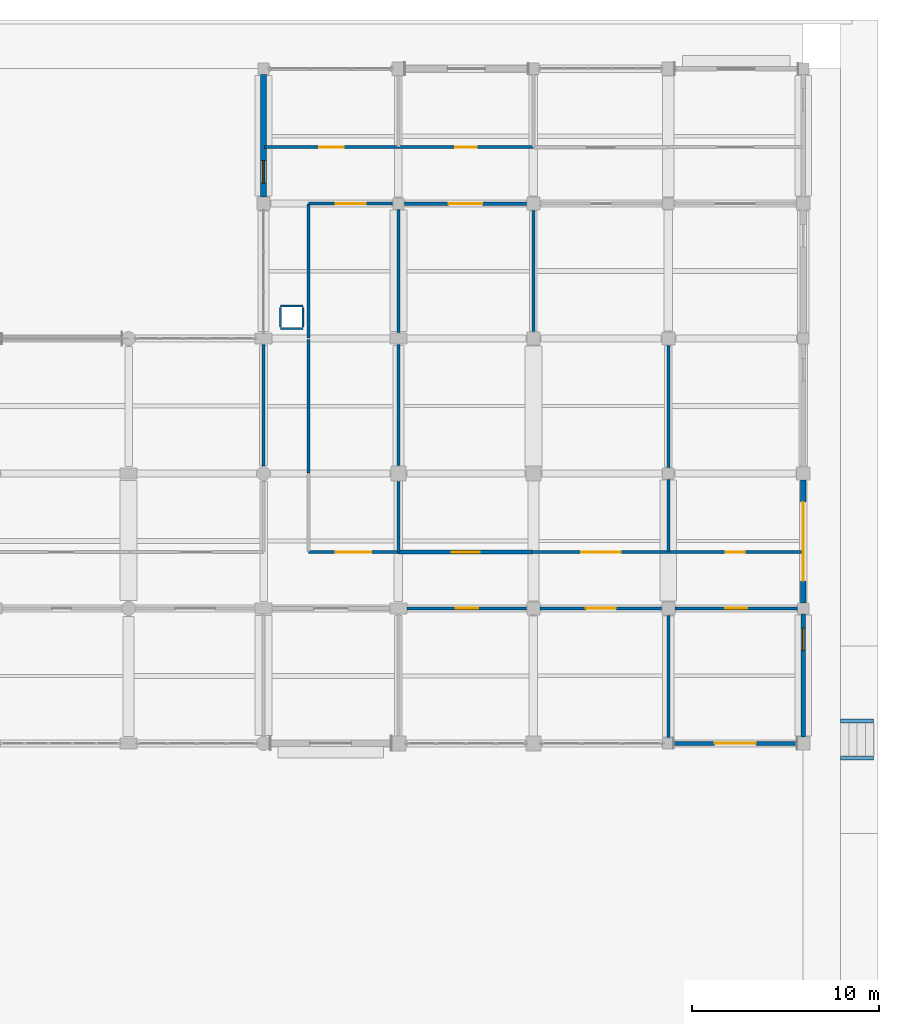
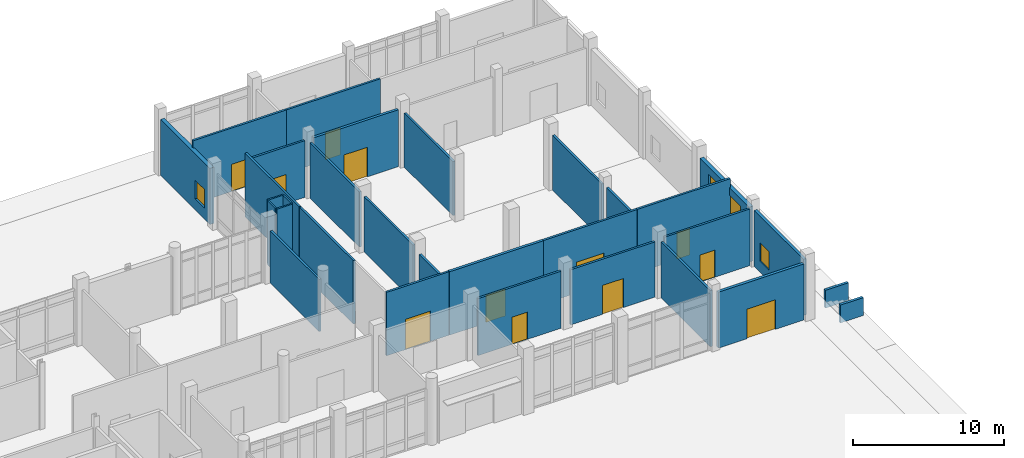
# One storey, part 201 of 229: 31 walls, 13 doors, 2 windows, 15 openings.
"""IFC4 building model written with IfcOpenShell, lengths in metres."""

import ifcopenshell
import ifcopenshell.guid

model = None  # the IFC model being written
_history = None  # IfcOwnerHistory: only IFC2X3 demands one
_inside = {}  # id of a spatial element -> (the spatial element, [elements in it])
_under = {}  # id of a project, library or spatial element -> (it, [spatial elements below it])
_declared = {}  # id of a project -> (the project, [libraries it declares])
_typed = {}  # id of a type object -> (the type object, [elements of that type])
_made_of = {}  # id of a material, layer set ... -> (it, [elements and type objects made of it])


def new_model(schema):
    """Start an empty IFC model of exactly this schema.

    Asked for "IFC4X3", IfcOpenShell would pick the latest addendum, in which some entities
    have other attributes; the version numbers below select the first issue.
    IFC2X3 requires an IfcOwnerHistory on every rooted entity: one is made here for all.
    """
    global model, _history
    if schema == "IFC4X3":
        model = ifcopenshell.file(schema_version=(4, 3, 0, 0))
    else:
        model = ifcopenshell.file(schema=schema)
    _inside.clear()
    _under.clear()
    _declared.clear()
    _typed.clear()
    _made_of.clear()
    _history = None
    if model.schema == "IFC2X3":
        org = make("IfcOrganization", Name="unknown")
        user = make(
            "IfcPersonAndOrganization",
            ThePerson=make("IfcPerson", FamilyName="unknown"),
            TheOrganization=org,
        )
        app = make(
            "IfcApplication",
            ApplicationDeveloper=org,
            Version="unknown",
            ApplicationFullName="unknown",
            ApplicationIdentifier="unknown",
        )
        _history = make(
            "IfcOwnerHistory",
            OwningUser=user,
            OwningApplication=app,
            ChangeAction="ADDED",
            CreationDate=0,
        )
    return model


def make(cls, **values):
    """One entity of the class cls with the attributes given. An attribute that is None is left unset."""
    return model.create_entity(
        cls, **{name: value for name, value in values.items() if value is not None}
    )


def rooted(cls, **values):
    """An entity with a GlobalId (a new one), such as an element, a storey or a relation."""
    return make(cls, GlobalId=ifcopenshell.guid.new(), OwnerHistory=_history, **values)


def si_unit(unit_type, name, prefix=None):
    """IfcSIUnit, for example si_unit("LENGTHUNIT", "METRE", prefix="MILLI")."""
    return make("IfcSIUnit", UnitType=unit_type, Prefix=prefix, Name=name)


def assignment(units):
    """IfcUnitAssignment: the units of a project."""
    return None if units is None else make("IfcUnitAssignment", Units=units)


def point(xyz):
    """IfcCartesianPoint."""
    return None if xyz is None else make("IfcCartesianPoint", Coordinates=xyz)


def direction(xyz):
    """IfcDirection."""
    return None if xyz is None else make("IfcDirection", DirectionRatios=xyz)


def frame(location, z_axis=None, x_axis=None):
    """IfcAxis2Placement3D, a coordinate frame: its origin and axes. An axis left out is left unset."""
    return make(
        "IfcAxis2Placement3D",
        Location=point(location),
        Axis=direction(z_axis),
        RefDirection=direction(x_axis),
    )


def frame_2d(location, x_axis=None):
    """IfcAxis2Placement2D, a coordinate frame in the plane: its origin and x axis."""
    return make(
        "IfcAxis2Placement2D", Location=point(location), RefDirection=direction(x_axis)
    )


def origin():
    """The frame at (0, 0, 0) with its axes left unset."""
    return frame((0.0, 0.0, 0.0))


def place(relative_to, where):
    """IfcLocalPlacement: puts the frame where relative to a parent placement (None: the world)."""
    return make(
        "IfcLocalPlacement", PlacementRelTo=relative_to, RelativePlacement=where
    )


def context(
    kind, dimensions, precision=None, world=None, true_north=None, identifier=None
):
    """IfcGeometricRepresentationContext, for example the 3D "Model" context."""
    return make(
        "IfcGeometricRepresentationContext",
        ContextIdentifier=identifier,
        ContextType=kind,
        CoordinateSpaceDimension=dimensions,
        Precision=precision,
        WorldCoordinateSystem=world,
        TrueNorth=true_north,
    )


def subcontext(parent, identifier, kind, view, scale=None):
    """IfcGeometricRepresentationSubContext, for example "Body" below "Model"."""
    return make(
        "IfcGeometricRepresentationSubContext",
        ContextIdentifier=identifier,
        ContextType=kind,
        ParentContext=parent,
        TargetScale=scale,
        TargetView=view,
    )


def project(units=None, contexts=None):
    """IfcProject with its units and contexts."""
    return rooted(
        "IfcProject",
        Name="project",
        RepresentationContexts=contexts,
        UnitsInContext=assignment(units),
    )


def spatial(cls, under=None, at=None, **own):
    """A site, building, storey or space (cls), placed at a placement, below another one or the project."""
    s = rooted(cls, ObjectPlacement=at, **own)
    if under is not None:
        _under.setdefault(under.id(), (under, []))[1].append(s)
    return s


def profile(cls, at=None, kind="AREA", **sizes):
    """A parametric profile (cls). Its sizes go by their IFC names, for example OverallWidth=200.0."""
    return make(cls, ProfileType=kind, Position=at, **sizes)


def rectangle(**sizes):
    """IfcRectangleProfileDef."""
    return profile("IfcRectangleProfileDef", **sizes)


def extrude(swept, where, along, depth):
    """IfcExtrudedAreaSolid: the profile swept, set in the frame where, extruded along a direction by depth."""
    return make(
        "IfcExtrudedAreaSolid",
        SweptArea=swept,
        Position=where,
        ExtrudedDirection=direction(along),
        Depth=depth,
    )


def shape(context_of_items, identifier, shape_type, items):
    """IfcShapeRepresentation: the items that make up one representation, for example the "Body"."""
    return make(
        "IfcShapeRepresentation",
        ContextOfItems=context_of_items,
        RepresentationIdentifier=identifier,
        RepresentationType=shape_type,
        Items=items,
    )


def material(Name=None, Category=None):
    """IfcMaterial."""
    return make("IfcMaterial", Name=Name, Category=Category)


def layer(
    of_material, thickness, ventilated=None, Name=None, Category=None, Priority=None
):
    """IfcMaterialLayer: one layer of a wall or slab, of a material (None: an air gap)."""
    return make(
        "IfcMaterialLayer",
        Material=of_material,
        LayerThickness=thickness,
        IsVentilated=ventilated,
        Name=Name,
        Category=Category,
        Priority=Priority,
    )


def layer_set(layers, Name=None):
    """IfcMaterialLayerSet."""
    return make("IfcMaterialLayerSet", MaterialLayers=layers, LayerSetName=Name)


def made_of(thing, what):
    """Note that an element or type object is made of a material, layer set ...; save() writes the relation."""
    if what is not None:
        _made_of.setdefault(what.id(), (what, []))[1].append(thing)
    return thing


def type_object(cls, material=None, **own):
    """A type object (cls), such as IfcWallType, which elements share."""
    return made_of(rooted(cls, **own), material)


def element(
    cls,
    number,
    at=None,
    inside=None,
    cuts=None,
    type_object=None,
    material=None,
    context=None,
    identifier="Body",
    shape_type=None,
    held_by="IfcProductDefinitionShape",
    body=None,
    shapes=None,
    **own,
):
    """One element of the class cls, such as IfcWall. Its Tag is "e" and its number.

    at: its placement. inside: the storey or other place that contains it. cuts: it is an
    opening in that element (IfcRelVoidsElement). A single representation is given by context,
    identifier, shape_type and body (its items); several are given by shapes. held_by: the class
    of the entity that holds the representations. save() writes the other relations.
    """
    e = rooted(cls, Tag="e%d" % number, ObjectPlacement=at, **own)
    if body is not None:
        shapes = [shape(context, identifier, shape_type, body)]
    if shapes is not None:
        e.Representation = make(held_by, Representations=shapes)
    if inside is not None:
        _inside.setdefault(inside.id(), (inside, []))[1].append(e)
    if cuts is not None:
        rooted(
            "IfcRelVoidsElement", RelatingBuildingElement=cuts, RelatedOpeningElement=e
        )
    if type_object is not None:
        _typed.setdefault(type_object.id(), (type_object, []))[1].append(e)
    return made_of(e, material)


def fill(opening, filler):
    """IfcRelFillsElement: the door or window that sits in an opening."""
    return rooted(
        "IfcRelFillsElement",
        RelatingOpeningElement=opening,
        RelatedBuildingElement=filler,
    )


def aggregate(whole, parts):
    """IfcRelAggregates: a whole, such as a stair, and the parts it consists of."""
    return rooted("IfcRelAggregates", RelatingObject=whole, RelatedObjects=parts)


def save(model, path):
    """Write the relations noted so far, then the file.

    IfcRelAggregates (storeys below a building ...), IfcRelContainedInSpatialStructure (elements
    in a storey), IfcRelDefinesByType, IfcRelAssociatesMaterial and IfcRelDeclares: one each for
    every whole, place, type object, material and project.
    """
    for whole, parts in _under.values():
        aggregate(whole, parts)
    for where, things in _inside.values():
        rooted(
            "IfcRelContainedInSpatialStructure",
            RelatedElements=things,
            RelatingStructure=where,
        )
    for kind, things in _typed.values():
        rooted("IfcRelDefinesByType", RelatedObjects=things, RelatingType=kind)
    for what, things in _made_of.values():
        rooted("IfcRelAssociatesMaterial", RelatedObjects=things, RelatingMaterial=what)
    for by, libraries in _declared.values():
        rooted("IfcRelDeclares", RelatingContext=by, RelatedDefinitions=libraries)
    model.write(path)


model = new_model("IFC4")

# Units and contexts
model_context = context("Model", 3, precision=1e-05, world=origin(), true_north=direction((0.0, 1.0)))
body_context = subcontext(model_context, "Body", "Model", "MODEL_VIEW")
ifc_project = project(units=[si_unit("LENGTHUNIT", "METRE"), si_unit("AREAUNIT", "SQUARE_METRE"), si_unit("VOLUMEUNIT", "CUBIC_METRE"), si_unit("PLANEANGLEUNIT", "RADIAN"), si_unit("MASSUNIT", "GRAM", prefix="KILO")], contexts=[model_context])

# Site, building, storey
site_placement = place(None, origin())
site = spatial("IfcSite", under=ifc_project, at=site_placement, CompositionType="ELEMENT")
building_placement = place(site_placement, origin())
building = spatial("IfcBuilding", under=site, at=building_placement, Name="Calvrana Isthmian Art Gallery", CompositionType="ELEMENT")
storey_placement = place(building_placement, origin())
storey = spatial("IfcBuildingStorey", under=building, at=storey_placement, Name="L00", CompositionType="ELEMENT", Elevation=0.0)

# Wall, opening, door
ifc_material_1 = material(Name="Precast concrete C40/50", Category="concrete")
ifc_layer_1 = layer(ifc_material_1, 0.219970703125, Name="Precast concrete C40/50")
ifc_layer_set_1 = layer_set([ifc_layer_1], Name="Precast concrete C40/50")
wall_type_1 = type_object("IfcWallType", Name="EW-ACOUST-220", PredefinedType="SOLIDWALL", material=ifc_layer_set_1)
wall_1_placement = place(storey_placement, frame((162.85009765625, 76.800048828125, 0.0), z_axis=(0.0, 0.0, 1.0), x_axis=(-1.0, 0.0, 0.0)))
wall_1 = element("IfcWall", 1, at=wall_1_placement, inside=storey, type_object=wall_type_1, Name="Exterior wall EW-019", PredefinedType="SOLIDWALL", context=body_context, shape_type="SweptSolid", body=[
    extrude(rectangle(XDim=6.550048828125, YDim=0.219970703125, at=frame_2d((3.27490234375, 0.0))), origin(), (0.0, 0.0, 1.0), 4.532958984375),
])
opening_1_placement = place(wall_1_placement, frame((2.175048828125, 0.0, 0.0)))
opening_1 = element("IfcOpeningElement", 2, at=opening_1_placement, cuts=wall_1, Name="Opening D-E12", PredefinedType="OPENING", context=body_context, shape_type="SweptSolid", body=[
    extrude(rectangle(XDim=2.199951171875, YDim=2.39990234375, at=frame_2d((1.10009765625, 1.199951171875))), frame((0.0, 0.1201171875, 0.0), z_axis=(0.0, -1.0, 0.0), x_axis=(1.0, 0.0, 0.0)), (0.0, 0.0, 1.0), 0.240478515625),
])
ifc_material_2 = material(Name="Anodized bronze aluminium 6063-T6", Category="aluminium")
door_type_1 = type_object("IfcDoorType", Name="DR-EXT-MAIN-2200", OperationType="DOUBLE_DOOR_SINGLE_SWING", PredefinedType="DOOR", material=ifc_material_2)
door_1_placement = place(opening_1_placement, origin())
door_1 = element("IfcDoor", 3, at=door_1_placement, inside=storey, type_object=door_type_1, Name="Main entrance pedestrian exit D-E12", OperationType="DOUBLE_DOOR_SINGLE_SWING", OverallHeight=2.39990234375, OverallWidth=2.199951171875, PredefinedType="DOOR", context=body_context, shape_type="SweptSolid", body=[
    extrude(rectangle(XDim=2.199951171875, YDim=2.39990234375, at=frame_2d((1.10009765625, 1.199951171875))), frame((0.0, 0.02490234375, 0.0), z_axis=(0.0, -1.0, 0.0), x_axis=(1.0, 0.0, 0.0)), (0.0, 0.0, 1.0), 0.050048828125),
])
fill(opening_1, door_1)

# Wall, opening, window
wall_2_placement = place(storey_placement, frame((163.199951171875, 83.699951171875, 0.0), z_axis=(0.0, 0.0, 1.0), x_axis=(0.0, -1.0, 0.0)))
wall_2 = element("IfcWall", 4, at=wall_2_placement, inside=storey, type_object=wall_type_1, Name="Exterior wall EW-051", PredefinedType="SOLIDWALL", context=body_context, shape_type="SweptSolid", body=[
    extrude(rectangle(XDim=6.550048828125, YDim=0.219970703125, at=frame_2d((3.27490234375, 0.0))), origin(), (0.0, 0.0, 1.0), 4.5400390625),
])
opening_2_placement = place(wall_2_placement, frame((0.75, 0.0, 0.89990234375)))
opening_2 = element("IfcOpeningElement", 5, at=opening_2_placement, cuts=wall_2, Name="Opening W-020", PredefinedType="OPENING", context=body_context, shape_type="SweptSolid", body=[
    extrude(rectangle(XDim=1.199951171875, YDim=1.5, at=frame_2d((0.60009765625, 0.75))), frame((0.0, 0.1201171875, 0.0), z_axis=(0.0, -1.0, 0.0), x_axis=(1.0, 0.0, 0.0)), (0.0, 0.0, 1.0), 0.240478515625),
])
ifc_material_3 = material(Name="Low-E laminated solar glass", Category="glass")
window_type = type_object("IfcWindowType", Name="WN-G01", PartitioningType="SINGLE_PANEL", PredefinedType="WINDOW", material=ifc_material_3)
window_1_placement = place(opening_2_placement, origin())
window_1 = element("IfcWindow", 6, at=window_1_placement, inside=storey, type_object=window_type, Name="Facade window W-020", OverallHeight=1.5, OverallWidth=1.199951171875, PartitioningType="SINGLE_PANEL", PredefinedType="WINDOW", context=body_context, shape_type="SweptSolid", body=[
    extrude(rectangle(XDim=1.199951171875, YDim=1.5, at=frame_2d((0.60009765625, 0.75))), frame((0.0, 0.030029296875, 0.0), z_axis=(0.0, -1.0, 0.0), x_axis=(1.0, 0.0, 0.0)), (0.0, 0.0, 1.0), 0.06005859375),
])
fill(opening_2, window_1)

ifc_material_4 = material(Name="Pale Isthmian limestone", Category="masonry")
ifc_layer_2 = layer(ifc_material_4, 0.300048828125, Name="Pale Isthmian limestone")
ifc_layer_set_2 = layer_set([ifc_layer_2], Name="Pale Isthmian limestone")
wall_type_2 = type_object("IfcWallType", Name="EW-LIME-300", PredefinedType="SOLIDWALL", material=ifc_layer_set_2)
wall_3_placement = place(storey_placement, frame((134.39990234375, 105.949951171875, 0.0), z_axis=(0.0, 0.0, 1.0), x_axis=(0.0, 1.0, 0.0)))
wall_3 = element("IfcWall", 7, at=wall_3_placement, inside=storey, type_object=wall_type_2, Name="Exterior wall EW-048", PredefinedType="SOLIDWALL", context=body_context, shape_type="SweptSolid", body=[
    extrude(rectangle(XDim=6.550048828125, YDim=0.300048828125, at=frame_2d((3.27490234375, 0.0))), origin(), (0.0, 0.0, 1.0), 4.5400390625),
])
opening_3_placement = place(wall_3_placement, frame((0.75, 0.0, 0.89990234375)))
opening_3 = element("IfcOpeningElement", 8, at=opening_3_placement, cuts=wall_3, Name="Opening W-018", PredefinedType="OPENING", context=body_context, shape_type="SweptSolid", body=[
    extrude(rectangle(XDim=1.199951171875, YDim=1.5, at=frame_2d((0.60009765625, 0.75))), frame((0.0, 0.16015625, 0.0), z_axis=(0.0, -1.0, 0.0), x_axis=(1.0, 0.0, 0.0)), (0.0, 0.0, 1.0), 0.320556640625),
])
window_2_placement = place(opening_3_placement, origin())
window_2 = element("IfcWindow", 9, at=window_2_placement, inside=storey, type_object=window_type, Name="Facade window W-018", OverallHeight=1.5, OverallWidth=1.199951171875, PartitioningType="SINGLE_PANEL", PredefinedType="WINDOW", context=body_context, shape_type="SweptSolid", body=[
    extrude(rectangle(XDim=1.199951171875, YDim=1.5, at=frame_2d((0.60009765625, 0.75))), frame((0.0, 0.030029296875, 0.0), z_axis=(0.0, -1.0, 0.0), x_axis=(1.0, 0.0, 0.0)), (0.0, 0.0, 1.0), 0.06005859375),
])
fill(opening_3, window_2)

# Wall, opening, door
wall_4_placement = place(storey_placement, frame((163.199951171875, 90.85009765625, 0.0), z_axis=(0.0, 0.0, 1.0), x_axis=(0.0, -1.0, 0.0)))
wall_4 = element("IfcWall", 10, at=wall_4_placement, inside=storey, type_object=wall_type_2, Name="Exterior wall EW-052", PredefinedType="SOLIDWALL", context=body_context, shape_type="SweptSolid", body=[
    extrude(rectangle(XDim=6.550048828125, YDim=0.300048828125, at=frame_2d((3.27490234375, 0.0))), origin(), (0.0, 0.0, 1.0), 4.43994140625),
])
opening_4_placement = place(wall_4_placement, frame((1.175048828125, 0.0, 0.0)))
opening_4 = element("IfcOpeningElement", 11, at=opening_4_placement, cuts=wall_4, Name="Opening VG-01", PredefinedType="OPENING", context=body_context, shape_type="SweptSolid", body=[
    extrude(rectangle(XDim=4.199951171875, YDim=3.85009765625, at=frame_2d((2.10009765625, 1.925048828125))), frame((0.0, 0.16015625, 0.0), z_axis=(0.0, -1.0, 0.0), x_axis=(1.0, 0.0, 0.0)), (0.0, 0.0, 1.0), 0.320556640625),
])
ifc_material_5 = material(Name="Steel ASTM A572 Gr 50", Category="steel")
door_type_2 = type_object("IfcDoorType", Name="GT-DOCK-4200", OperationType="ROLLINGUP", PredefinedType="GATE", material=ifc_material_5)
door_2_placement = place(opening_4_placement, origin())
door_2 = element("IfcDoor", 12, at=door_2_placement, inside=storey, type_object=door_type_2, Name="Loading dock vehicle roller shutter VG-01", OperationType="ROLLINGUP", OverallHeight=3.85009765625, OverallWidth=4.199951171875, PredefinedType="GATE", context=body_context, shape_type="SweptSolid", body=[
    extrude(rectangle(XDim=4.199951171875, YDim=3.85009765625, at=frame_2d((2.10009765625, 1.925048828125))), frame((0.0, 0.02490234375, 0.0), z_axis=(0.0, -1.0, 0.0), x_axis=(1.0, 0.0, 0.0)), (0.0, 0.0, 1.0), 0.050048828125),
])
fill(opening_4, door_2)

ifc_material_6 = material(Name="Acoustic gypsum ceiling", Category="gypsum")
ifc_layer_3 = layer(ifc_material_6, 0.199951171875, Name="Acoustic gypsum ceiling")
ifc_layer_set_3 = layer_set([ifc_layer_3], Name="Acoustic gypsum ceiling")
wall_type_3 = type_object("IfcWallType", Name="PW-FIRE-200", PredefinedType="PARTITIONING", material=ifc_layer_set_3)
wall_5_placement = place(storey_placement, frame((141.610107421875, 87.010009765625, 0.0), z_axis=(0.0, 0.0, 1.0), x_axis=(1.0, 0.0, 0.0)))
wall_5 = element("IfcWall", 13, at=wall_5_placement, inside=storey, type_object=wall_type_3, Name="Interior partition PW-252", PredefinedType="PARTITIONING", context=body_context, shape_type="SweptSolid", body=[
    extrude(rectangle(XDim=7.179931640625, YDim=0.199951171875, at=frame_2d((3.58984375, 0.0))), origin(), (0.0, 0.0, 1.0), 5.139892578125),
])
opening_5_placement = place(wall_5_placement, frame((2.840087890625, 0.0, 0.0)))
opening_5 = element("IfcOpeningElement", 14, at=opening_5_placement, cuts=wall_5, Name="Opening D-319", PredefinedType="OPENING", context=body_context, shape_type="SweptSolid", body=[
    extrude(rectangle(XDim=1.5, YDim=2.199951171875, at=frame_2d((0.75, 1.10009765625))), frame((0.0, 0.1103515625, 0.0), z_axis=(0.0, -1.0, 0.0), x_axis=(1.0, 0.0, 0.0)), (0.0, 0.0, 1.0), 0.220458984375),
])
door_type_3 = type_object("IfcDoorType", Name="DR-STAIR-1500", OperationType="NOTDEFINED", PredefinedType="DOOR", material=ifc_material_5)
door_3_placement = place(opening_5_placement, origin())
door_3 = element("IfcDoor", 15, at=door_3_placement, inside=storey, type_object=door_type_3, Name="Interior door D-319", OperationType="SINGLE_SWING_LEFT", OverallHeight=2.199951171875, OverallWidth=1.5, PredefinedType="DOOR", context=body_context, shape_type="SweptSolid", body=[
    extrude(rectangle(XDim=1.5, YDim=2.199951171875, at=frame_2d((0.75, 1.10009765625))), frame((0.0, 0.02490234375, 0.0), z_axis=(0.0, -1.0, 0.0), x_axis=(1.0, 0.0, 0.0)), (0.0, 0.0, 1.0), 0.050048828125),
])
fill(opening_5, door_3)

wall_6_placement = place(storey_placement, frame((141.9150390625, 105.60009765625, 0.0), z_axis=(0.0, 0.0, 1.0), x_axis=(1.0, 0.0, 0.0)))
wall_6 = element("IfcWall", 16, at=wall_6_placement, inside=storey, type_object=wall_type_3, Name="Interior partition PW-260", PredefinedType="PARTITIONING", context=body_context, shape_type="SweptSolid", body=[
    extrude(rectangle(XDim=6.52001953125, YDim=0.199951171875, at=frame_2d((3.260009765625, 0.0))), origin(), (0.0, 0.0, 1.0), 4.60693359375),
])
opening_6_placement = place(wall_6_placement, frame((2.360107421875, 0.0, 0.0)))
opening_6 = element("IfcOpeningElement", 17, at=opening_6_placement, cuts=wall_6, Name="Opening D-323", PredefinedType="OPENING", context=body_context, shape_type="SweptSolid", body=[
    extrude(rectangle(XDim=1.800048828125, YDim=2.39990234375, at=frame_2d((0.89990234375, 1.199951171875))), frame((0.0, 0.1103515625, 0.0), z_axis=(0.0, -1.0, 0.0), x_axis=(1.0, 0.0, 0.0)), (0.0, 0.0, 1.0), 0.220458984375),
])
door_type_4 = type_object("IfcDoorType", Name="DR-VAULT-1800", OperationType="DOUBLE_DOOR_SINGLE_SWING", PredefinedType="DOOR", material=ifc_material_5)
door_4_placement = place(opening_6_placement, origin())
door_4 = element("IfcDoor", 18, at=door_4_placement, inside=storey, type_object=door_type_4, Name="Interior door D-323", OperationType="DOUBLE_DOOR_SINGLE_SWING", OverallHeight=2.39990234375, OverallWidth=1.800048828125, PredefinedType="DOOR", context=body_context, shape_type="SweptSolid", body=[
    extrude(rectangle(XDim=1.800048828125, YDim=2.39990234375, at=frame_2d((0.89990234375, 1.199951171875))), frame((0.0, 0.02490234375, 0.0), z_axis=(0.0, -1.0, 0.0), x_axis=(1.0, 0.0, 0.0)), (0.0, 0.0, 1.0), 0.050048828125),
])
fill(opening_6, door_4)

# Walls
ifc_layer_4 = layer(ifc_material_6, 0.1201171875, Name="Acoustic gypsum ceiling")
ifc_layer_set_4 = layer_set([ifc_layer_4], Name="Acoustic gypsum ceiling")
wall_type_4 = type_object("IfcWallType", Name="PW-FURR-120", PredefinedType="PARTITIONING", material=ifc_layer_set_4)
for number, where, z_axis, x_axis, name in (
    (19, (135.300048828125, 98.93994140625, 0.0), (0.0, 0.0, 1.0), (1.0, 0.0, 0.0), "MEP riser enclosure L00-7S"),
    (20, (135.300048828125, 100.139892578125, 0.0), (0.0, 0.0, 1.0), (1.0, 0.0, 0.0), "MEP riser enclosure L00-7N"),
):
    element("IfcWall", number, at=place(storey_placement, frame(where, z_axis=z_axis, x_axis=x_axis)), inside=storey, type_object=wall_type_4, Name=name, PredefinedType="PARTITIONING", context=body_context, shape_type="SweptSolid", body=[
        extrude(rectangle(XDim=1.199951171875, YDim=0.1201171875, at=frame_2d((0.60009765625, 0.0))), origin(), (0.0, 0.0, 1.0), 5.159912109375),
    ])
for number, where, z_axis, x_axis, name in (
    (21, (135.300048828125, 99.02001953125, 0.0), (0.0, 0.0, 1.0), (0.0, 1.0, 0.0), "MEP riser enclosure L00-7W"),
    (22, (136.5, 99.02001953125, 0.0), (0.0, 0.0, 1.0), (0.0, 1.0, 0.0), "MEP riser enclosure L00-7E"),
):
    element("IfcWall", number, at=place(storey_placement, frame(where, z_axis=z_axis, x_axis=x_axis)), inside=storey, type_object=wall_type_4, Name=name, PredefinedType="PARTITIONING", context=body_context, shape_type="SweptSolid", body=[
        extrude(rectangle(XDim=1.0400390625, YDim=0.1201171875, at=frame_2d((0.52001953125, 0.0))), origin(), (0.0, 0.0, 1.0), 5.159912109375),
    ])

# Wall, opening, door
ifc_layer_5 = layer(ifc_material_6, 0.159912109375, Name="Acoustic gypsum ceiling")
ifc_layer_set_5 = layer_set([ifc_layer_5], Name="Acoustic gypsum ceiling")
wall_type_5 = type_object("IfcWallType", Name="PW-GAL-160", PredefinedType="PARTITIONING", material=ifc_layer_set_5)
wall_7_placement = place(storey_placement, frame((142.06494140625, 84.0, 0.0), z_axis=(0.0, 0.0, 1.0), x_axis=(1.0, 0.0, 0.0)))
wall_7 = element("IfcWall", 23, at=wall_7_placement, inside=storey, type_object=wall_type_5, Name="Interior partition PW-236", PredefinedType="PARTITIONING", context=body_context, shape_type="SweptSolid", body=[
    extrude(rectangle(XDim=6.3701171875, YDim=0.159912109375, at=frame_2d((3.18505859375, 0.0))), origin(), (0.0, 0.0, 1.0), 4.617919921875),
])
opening_7_placement = place(wall_7_placement, frame((2.5849609375, 0.0, 0.0)))
opening_7 = element("IfcOpeningElement", 24, at=opening_7_placement, cuts=wall_7, Name="Opening D-312", PredefinedType="OPENING", context=body_context, shape_type="SweptSolid", body=[
    extrude(rectangle(XDim=1.199951171875, YDim=2.199951171875, at=frame_2d((0.60009765625, 1.10009765625))), frame((0.0, 0.09033203125, 0.0), z_axis=(0.0, -1.0, 0.0), x_axis=(1.0, 0.0, 0.0)), (0.0, 0.0, 1.0), 0.180419921875),
])
ifc_material_7 = material(Name="Timber gallery flooring", Category="wood")
door_type_5 = type_object("IfcDoorType", Name="DR-RM-1200", OperationType="NOTDEFINED", PredefinedType="DOOR", material=ifc_material_7)
door_5_placement = place(opening_7_placement, origin())
door_5 = element("IfcDoor", 25, at=door_5_placement, inside=storey, type_object=door_type_5, Name="Interior door D-312", OperationType="SINGLE_SWING_LEFT", OverallHeight=2.199951171875, OverallWidth=1.199951171875, PredefinedType="DOOR", context=body_context, shape_type="SweptSolid", body=[
    extrude(rectangle(XDim=1.199951171875, YDim=2.199951171875, at=frame_2d((0.60009765625, 1.10009765625))), frame((0.0, 0.02490234375, 0.0), z_axis=(0.0, -1.0, 0.0), x_axis=(1.0, 0.0, 0.0)), (0.0, 0.0, 1.0), 0.050048828125),
])
fill(opening_7, door_5)

wall_8_placement = place(storey_placement, frame((149.1650390625, 84.0, 0.0), z_axis=(0.0, 0.0, 1.0), x_axis=(1.0, 0.0, 0.0)))
wall_8 = element("IfcWall", 26, at=wall_8_placement, inside=storey, type_object=wall_type_5, Name="Interior partition PW-237", PredefinedType="PARTITIONING", context=body_context, shape_type="SweptSolid", body=[
    extrude(rectangle(XDim=6.469970703125, YDim=0.159912109375, at=frame_2d((3.23486328125, 0.0))), origin(), (0.0, 0.0, 1.0), 4.472900390625),
])
opening_8_placement = place(wall_8_placement, frame((2.43505859375, 0.0, 0.0)))
opening_8 = element("IfcOpeningElement", 27, at=opening_8_placement, cuts=wall_8, Name="Opening D-313", PredefinedType="OPENING", context=body_context, shape_type="SweptSolid", body=[
    extrude(rectangle(XDim=1.60009765625, YDim=2.35009765625, at=frame_2d((0.800048828125, 1.175048828125))), frame((0.0, 0.09033203125, 0.0), z_axis=(0.0, -1.0, 0.0), x_axis=(1.0, 0.0, 0.0)), (0.0, 0.0, 1.0), 0.180419921875),
])
door_type_6 = type_object("IfcDoorType", Name="DR-GAL-1600", OperationType="DOUBLE_DOOR_SINGLE_SWING", PredefinedType="DOOR", material=ifc_material_7)
door_6_placement = place(opening_8_placement, origin())
door_6 = element("IfcDoor", 28, at=door_6_placement, inside=storey, type_object=door_type_6, Name="Interior door D-313", OperationType="DOUBLE_DOOR_SINGLE_SWING", OverallHeight=2.35009765625, OverallWidth=1.60009765625, PredefinedType="DOOR", context=body_context, shape_type="SweptSolid", body=[
    extrude(rectangle(XDim=1.60009765625, YDim=2.35009765625, at=frame_2d((0.800048828125, 1.175048828125))), frame((0.0, 0.02490234375, 0.0), z_axis=(0.0, -1.0, 0.0), x_axis=(1.0, 0.0, 0.0)), (0.0, 0.0, 1.0), 0.050048828125),
])
fill(opening_8, door_6)

# Wall
wall_9_placement = place(storey_placement, frame((156.0, 77.114990234375, 0.0), z_axis=(0.0, 0.0, 1.0), x_axis=(0.0, 1.0, 0.0)))
element("IfcWall", 29, at=wall_9_placement, inside=storey, type_object=wall_type_5, Name="Interior partition PW-238", PredefinedType="PARTITIONING", context=body_context, shape_type="SweptSolid", body=[
    extrude(rectangle(XDim=6.52001953125, YDim=0.159912109375, at=frame_2d((3.260009765625, 0.0))), origin(), (0.0, 0.0, 1.0), 4.5400390625),
])

# Wall, opening, door
wall_10_placement = place(storey_placement, frame((156.364990234375, 84.0, 0.0), z_axis=(0.0, 0.0, 1.0), x_axis=(1.0, 0.0, 0.0)))
wall_10 = element("IfcWall", 30, at=wall_10_placement, inside=storey, type_object=wall_type_5, Name="Interior partition PW-239", PredefinedType="PARTITIONING", context=body_context, shape_type="SweptSolid", body=[
    extrude(rectangle(XDim=6.52001953125, YDim=0.159912109375, at=frame_2d((3.260009765625, 0.0))), origin(), (0.0, 0.0, 1.0), 4.591064453125),
])
opening_9_placement = place(wall_10_placement, frame((2.68505859375, 0.0, 0.0)))
opening_9 = element("IfcOpeningElement", 31, at=opening_9_placement, cuts=wall_10, Name="Opening D-314", PredefinedType="OPENING", context=body_context, shape_type="SweptSolid", body=[
    extrude(rectangle(XDim=1.14990234375, YDim=2.199951171875, at=frame_2d((0.574951171875, 1.10009765625))), frame((0.0, 0.09033203125, 0.0), z_axis=(0.0, -1.0, 0.0), x_axis=(1.0, 0.0, 0.0)), (0.0, 0.0, 1.0), 0.180419921875),
])
door_type_7 = type_object("IfcDoorType", Name="DR-RM-1150", OperationType="NOTDEFINED", PredefinedType="DOOR", material=ifc_material_7)
door_7_placement = place(opening_9_placement, origin())
door_7 = element("IfcDoor", 32, at=door_7_placement, inside=storey, type_object=door_type_7, Name="Interior door D-314", OperationType="SINGLE_SWING_RIGHT", OverallHeight=2.199951171875, OverallWidth=1.14990234375, PredefinedType="DOOR", context=body_context, shape_type="SweptSolid", body=[
    extrude(rectangle(XDim=1.14990234375, YDim=2.199951171875, at=frame_2d((0.574951171875, 1.10009765625))), frame((0.0, 0.02490234375, 0.0), z_axis=(0.0, -1.0, 0.0), x_axis=(1.0, 0.0, 0.0)), (0.0, 0.0, 1.0), 0.050048828125),
])
fill(opening_9, door_7)

# Walls
wall_11_placement = place(storey_placement, frame((134.39990234375, 91.590087890625, 0.0), z_axis=(0.0, 0.0, 1.0), x_axis=(0.0, 1.0, 0.0)))
element("IfcWall", 33, at=wall_11_placement, inside=storey, type_object=wall_type_5, Name="Interior partition PW-246", PredefinedType="PARTITIONING", context=body_context, shape_type="SweptSolid", body=[
    extrude(rectangle(XDim=6.494873046875, YDim=0.159912109375, at=frame_2d((3.24755859375, 0.0))), origin(), (0.0, 0.0, 1.0), 4.22998046875),
])
wall_12_placement = place(storey_placement, frame((136.800048828125, 91.219970703125, 0.0), z_axis=(0.0, 0.0, 1.0), x_axis=(0.0, 1.0, 0.0)))
element("IfcWall", 34, at=wall_12_placement, inside=storey, type_object=wall_type_5, Name="Interior partition PW-248", PredefinedType="PARTITIONING", context=body_context, shape_type="SweptSolid", body=[
    extrude(rectangle(XDim=7.14013671875, YDim=0.159912109375, at=frame_2d((3.570068359375, 0.0))), origin(), (0.0, 0.0, 1.0), 5.139892578125),
])

# Wall, opening, door
wall_13_placement = place(storey_placement, frame((136.800048828125, 87.010009765625, 0.0), z_axis=(0.0, 0.0, 1.0), x_axis=(1.0, 0.0, 0.0)))
wall_13 = element("IfcWall", 35, at=wall_13_placement, inside=storey, type_object=wall_type_5, Name="Interior partition PW-249", PredefinedType="PARTITIONING", context=body_context, shape_type="SweptSolid", body=[
    extrude(rectangle(XDim=4.7900390625, YDim=0.159912109375, at=frame_2d((2.39501953125, 0.0))), origin(), (0.0, 0.0, 1.0), 5.139892578125),
])
opening_10_placement = place(wall_13_placement, frame((1.445068359375, 0.0, 0.0)))
opening_10 = element("IfcOpeningElement", 36, at=opening_10_placement, cuts=wall_13, Name="Opening D-318", PredefinedType="OPENING", context=body_context, shape_type="SweptSolid", body=[
    extrude(rectangle(XDim=1.89990234375, YDim=2.449951171875, at=frame_2d((0.949951171875, 1.22509765625))), frame((0.0, 0.09033203125, 0.0), z_axis=(0.0, -1.0, 0.0), x_axis=(1.0, 0.0, 0.0)), (0.0, 0.0, 1.0), 0.180419921875),
])
door_type_8 = type_object("IfcDoorType", Name="DR-GAL-1900", OperationType="DOUBLE_DOOR_SINGLE_SWING", PredefinedType="DOOR", material=ifc_material_7)
door_8_placement = place(opening_10_placement, origin())
door_8 = element("IfcDoor", 37, at=door_8_placement, inside=storey, type_object=door_type_8, Name="Interior door D-318", OperationType="DOUBLE_DOOR_SINGLE_SWING", OverallHeight=2.449951171875, OverallWidth=1.89990234375, PredefinedType="DOOR", context=body_context, shape_type="SweptSolid", body=[
    extrude(rectangle(XDim=1.89990234375, YDim=2.449951171875, at=frame_2d((0.949951171875, 1.22509765625))), frame((0.0, 0.02490234375, 0.0), z_axis=(0.0, -1.0, 0.0), x_axis=(1.0, 0.0, 0.0)), (0.0, 0.0, 1.0), 0.050048828125),
])
fill(opening_10, door_8)

# Walls
wall_14_placement = place(storey_placement, frame((141.60009765625, 87.02001953125, 0.0), z_axis=(0.0, 0.0, 1.0), x_axis=(0.0, 1.0, 0.0)))
element("IfcWall", 38, at=wall_14_placement, inside=storey, type_object=wall_type_5, Name="Interior partition PW-250", PredefinedType="PARTITIONING", context=body_context, shape_type="SweptSolid", body=[
    extrude(rectangle(XDim=3.764892578125, YDim=0.159912109375, at=frame_2d((1.88232421875, 0.0))), origin(), (0.0, 0.0, 1.0), 4.22998046875),
])
wall_15_placement = place(storey_placement, frame((141.60009765625, 91.614990234375, 0.0), z_axis=(0.0, 0.0, 1.0), x_axis=(0.0, 1.0, 0.0)))
element("IfcWall", 39, at=wall_15_placement, inside=storey, type_object=wall_type_5, Name="Interior partition PW-251", PredefinedType="PARTITIONING", context=body_context, shape_type="SweptSolid", body=[
    extrude(rectangle(XDim=6.469970703125, YDim=0.159912109375, at=frame_2d((3.23486328125, 0.0))), origin(), (0.0, 0.0, 1.0), 4.47998046875),
])

# Wall, opening, door
wall_16_placement = place(storey_placement, frame((148.81005859375, 87.010009765625, 0.0), z_axis=(0.0, 0.0, 1.0), x_axis=(1.0, 0.0, 0.0)))
wall_16 = element("IfcWall", 40, at=wall_16_placement, inside=storey, type_object=wall_type_5, Name="Interior partition PW-253", PredefinedType="PARTITIONING", context=body_context, shape_type="SweptSolid", body=[
    extrude(rectangle(XDim=7.179931640625, YDim=0.159912109375, at=frame_2d((3.58984375, 0.0))), origin(), (0.0, 0.0, 1.0), 5.139892578125),
])
opening_11_placement = place(wall_16_placement, frame((2.5400390625, 0.0, 0.0)))
opening_11 = element("IfcOpeningElement", 41, at=opening_11_placement, cuts=wall_16, Name="Opening D-320", PredefinedType="OPENING", context=body_context, shape_type="SweptSolid", body=[
    extrude(rectangle(XDim=2.10009765625, YDim=2.5, at=frame_2d((1.050048828125, 1.25))), frame((0.0, 0.09033203125, 0.0), z_axis=(0.0, -1.0, 0.0), x_axis=(1.0, 0.0, 0.0)), (0.0, 0.0, 1.0), 0.180419921875),
])
door_type_9 = type_object("IfcDoorType", Name="DR-GAL-2100", OperationType="DOUBLE_DOOR_SINGLE_SWING", PredefinedType="DOOR", material=ifc_material_7)
door_9_placement = place(opening_11_placement, origin())
door_9 = element("IfcDoor", 42, at=door_9_placement, inside=storey, type_object=door_type_9, Name="Interior door D-320", OperationType="DOUBLE_DOOR_SINGLE_SWING", OverallHeight=2.5, OverallWidth=2.10009765625, PredefinedType="DOOR", context=body_context, shape_type="SweptSolid", body=[
    extrude(rectangle(XDim=2.10009765625, YDim=2.5, at=frame_2d((1.050048828125, 1.25))), frame((0.0, 0.02490234375, 0.0), z_axis=(0.0, -1.0, 0.0), x_axis=(1.0, 0.0, 0.0)), (0.0, 0.0, 1.0), 0.050048828125),
])
fill(opening_11, door_9)

# Walls
wall_17_placement = place(storey_placement, frame((156.0, 87.02001953125, 0.0), z_axis=(0.0, 0.0, 1.0), x_axis=(0.0, 1.0, 0.0)))
element("IfcWall", 43, at=wall_17_placement, inside=storey, type_object=wall_type_5, Name="Interior partition PW-254", PredefinedType="PARTITIONING", context=body_context, shape_type="SweptSolid", body=[
    extrude(rectangle(XDim=3.864990234375, YDim=0.159912109375, at=frame_2d((1.9326171875, 0.0))), origin(), (0.0, 0.0, 1.0), 4.5400390625),
])
wall_18_placement = place(storey_placement, frame((156.0, 91.514892578125, 0.0), z_axis=(0.0, 0.0, 1.0), x_axis=(0.0, 1.0, 0.0)))
element("IfcWall", 44, at=wall_18_placement, inside=storey, type_object=wall_type_5, Name="Interior partition PW-255", PredefinedType="PARTITIONING", context=body_context, shape_type="SweptSolid", body=[
    extrude(rectangle(XDim=6.52001953125, YDim=0.159912109375, at=frame_2d((3.260009765625, 0.0))), origin(), (0.0, 0.0, 1.0), 4.43994140625),
])

# Wall, opening, door
wall_19_placement = place(storey_placement, frame((156.010009765625, 87.010009765625, 0.0), z_axis=(0.0, 0.0, 1.0), x_axis=(1.0, 0.0, 0.0)))
wall_19 = element("IfcWall", 45, at=wall_19_placement, inside=storey, type_object=wall_type_5, Name="Interior partition PW-256", PredefinedType="PARTITIONING", context=body_context, shape_type="SweptSolid", body=[
    extrude(rectangle(XDim=7.1298828125, YDim=0.159912109375, at=frame_2d((3.56494140625, 0.0))), origin(), (0.0, 0.0, 1.0), 5.139892578125),
])
opening_12_placement = place(wall_19_placement, frame((3.06494140625, 0.0, 0.0)))
opening_12 = element("IfcOpeningElement", 46, at=opening_12_placement, cuts=wall_19, Name="Opening D-321", PredefinedType="OPENING", context=body_context, shape_type="SweptSolid", body=[
    extrude(rectangle(XDim=1.0, YDim=2.14990234375, at=frame_2d((0.5, 1.074951171875))), frame((0.0, 0.09033203125, 0.0), z_axis=(0.0, -1.0, 0.0), x_axis=(1.0, 0.0, 0.0)), (0.0, 0.0, 1.0), 0.180419921875),
])
door_type_10 = type_object("IfcDoorType", Name="DR-RM-1000", OperationType="NOTDEFINED", PredefinedType="DOOR", material=ifc_material_7)
door_10_placement = place(opening_12_placement, origin())
door_10 = element("IfcDoor", 47, at=door_10_placement, inside=storey, type_object=door_type_10, Name="Interior door D-321", OperationType="SINGLE_SWING_RIGHT", OverallHeight=2.14990234375, OverallWidth=1.0, PredefinedType="DOOR", context=body_context, shape_type="SweptSolid", body=[
    extrude(rectangle(XDim=1.0, YDim=2.14990234375, at=frame_2d((0.5, 1.074951171875))), frame((0.0, 0.02490234375, 0.0), z_axis=(0.0, -1.0, 0.0), x_axis=(1.0, 0.0, 0.0)), (0.0, 0.0, 1.0), 0.050048828125),
])
fill(opening_12, door_10)

# Wall
wall_20_placement = place(storey_placement, frame((136.800048828125, 98.43994140625, 0.0), z_axis=(0.0, 0.0, 1.0), x_axis=(0.0, 1.0, 0.0)))
element("IfcWall", 48, at=wall_20_placement, inside=storey, type_object=wall_type_5, Name="Interior partition PW-257", PredefinedType="PARTITIONING", context=body_context, shape_type="SweptSolid", body=[
    extrude(rectangle(XDim=7.14013671875, YDim=0.159912109375, at=frame_2d((3.570068359375, 0.0))), origin(), (0.0, 0.0, 1.0), 5.139892578125),
])

# Wall, opening, door
wall_21_placement = place(storey_placement, frame((136.800048828125, 105.60009765625, 0.0), z_axis=(0.0, 0.0, 1.0), x_axis=(1.0, 0.0, 0.0)))
wall_21 = element("IfcWall", 49, at=wall_21_placement, inside=storey, type_object=wall_type_5, Name="Interior partition PW-258", PredefinedType="PARTITIONING", context=body_context, shape_type="SweptSolid", body=[
    extrude(rectangle(XDim=4.48486328125, YDim=0.159912109375, at=frame_2d((2.242431640625, 0.0))), origin(), (0.0, 0.0, 1.0), 4.591064453125),
])
opening_13_placement = place(wall_21_placement, frame((1.4423828125, 0.0, 0.0)))
opening_13 = element("IfcOpeningElement", 50, at=opening_13_placement, cuts=wall_21, Name="Opening D-322", PredefinedType="OPENING", context=body_context, shape_type="SweptSolid", body=[
    extrude(rectangle(XDim=1.60009765625, YDim=2.35009765625, at=frame_2d((0.800048828125, 1.175048828125))), frame((0.0, 0.09033203125, 0.0), z_axis=(0.0, -1.0, 0.0), x_axis=(1.0, 0.0, 0.0)), (0.0, 0.0, 1.0), 0.180419921875),
])
door_11_placement = place(opening_13_placement, origin())
door_11 = element("IfcDoor", 51, at=door_11_placement, inside=storey, type_object=door_type_6, Name="Interior door D-322", OperationType="DOUBLE_DOOR_SINGLE_SWING", OverallHeight=2.35009765625, OverallWidth=1.60009765625, PredefinedType="DOOR", context=body_context, shape_type="SweptSolid", body=[
    extrude(rectangle(XDim=1.60009765625, YDim=2.35009765625, at=frame_2d((0.800048828125, 1.175048828125))), frame((0.0, 0.02490234375, 0.0), z_axis=(0.0, -1.0, 0.0), x_axis=(1.0, 0.0, 0.0)), (0.0, 0.0, 1.0), 0.050048828125),
])
fill(opening_13, door_11)

# Walls
wall_22_placement = place(storey_placement, frame((141.60009765625, 98.715087890625, 0.0), z_axis=(0.0, 0.0, 1.0), x_axis=(0.0, 1.0, 0.0)))
element("IfcWall", 52, at=wall_22_placement, inside=storey, type_object=wall_type_5, Name="Interior partition PW-259", PredefinedType="PARTITIONING", context=body_context, shape_type="SweptSolid", body=[
    extrude(rectangle(XDim=6.56982421875, YDim=0.159912109375, at=frame_2d((3.284912109375, 0.0))), origin(), (0.0, 0.0, 1.0), 4.47998046875),
])
wall_23_placement = place(storey_placement, frame((148.800048828125, 98.764892578125, 0.0), z_axis=(0.0, 0.0, 1.0), x_axis=(0.0, 1.0, 0.0)))
element("IfcWall", 53, at=wall_23_placement, inside=storey, type_object=wall_type_5, Name="Interior partition PW-261", PredefinedType="PARTITIONING", context=body_context, shape_type="SweptSolid", body=[
    extrude(rectangle(XDim=6.47021484375, YDim=0.159912109375, at=frame_2d((3.235107421875, 0.0))), origin(), (0.0, 0.0, 1.0), 4.3798828125),
])

# Wall, opening, door
wall_24_placement = place(storey_placement, frame((134.4599609375, 108.610107421875, 0.0), z_axis=(0.0, 0.0, 1.0), x_axis=(1.0, 0.0, 0.0)))
wall_24 = element("IfcWall", 54, at=wall_24_placement, inside=storey, type_object=wall_type_5, Name="Interior partition PW-264", PredefinedType="PARTITIONING", context=body_context, shape_type="SweptSolid", body=[
    extrude(rectangle(XDim=7.130126953125, YDim=0.159912109375, at=frame_2d((3.56494140625, 0.0))), origin(), (0.0, 0.0, 1.0), 5.139892578125),
])
opening_14_placement = place(wall_24_placement, frame((2.9150390625, 0.0, 0.0)))
opening_14 = element("IfcOpeningElement", 55, at=opening_14_placement, cuts=wall_24, Name="Opening D-326", PredefinedType="OPENING", context=body_context, shape_type="SweptSolid", body=[
    extrude(rectangle(XDim=1.300048828125, YDim=2.199951171875, at=frame_2d((0.64990234375, 1.10009765625))), frame((0.0, 0.09033203125, 0.0), z_axis=(0.0, -1.0, 0.0), x_axis=(1.0, 0.0, 0.0)), (0.0, 0.0, 1.0), 0.180419921875),
])
door_type_11 = type_object("IfcDoorType", Name="DR-RM-1300", OperationType="NOTDEFINED", PredefinedType="DOOR", material=ifc_material_7)
door_12_placement = place(opening_14_placement, origin())
door_12 = element("IfcDoor", 56, at=door_12_placement, inside=storey, type_object=door_type_11, Name="Interior door D-326", OperationType="SINGLE_SWING_RIGHT", OverallHeight=2.199951171875, OverallWidth=1.300048828125, PredefinedType="DOOR", context=body_context, shape_type="SweptSolid", body=[
    extrude(rectangle(XDim=1.300048828125, YDim=2.199951171875, at=frame_2d((0.64990234375, 1.10009765625))), frame((0.0, 0.02490234375, 0.0), z_axis=(0.0, -1.0, 0.0), x_axis=(1.0, 0.0, 0.0)), (0.0, 0.0, 1.0), 0.050048828125),
])
fill(opening_14, door_12)

wall_25_placement = place(storey_placement, frame((141.610107421875, 108.610107421875, 0.0), z_axis=(0.0, 0.0, 1.0), x_axis=(1.0, 0.0, 0.0)))
wall_25 = element("IfcWall", 57, at=wall_25_placement, inside=storey, type_object=wall_type_5, Name="Interior partition PW-266", PredefinedType="PARTITIONING", context=body_context, shape_type="SweptSolid", body=[
    extrude(rectangle(XDim=7.179931640625, YDim=0.159912109375, at=frame_2d((3.58984375, 0.0))), origin(), (0.0, 0.0, 1.0), 5.139892578125),
])
opening_15_placement = place(wall_25_placement, frame((3.014892578125, 0.0, 0.0)))
opening_15 = element("IfcOpeningElement", 58, at=opening_15_placement, cuts=wall_25, Name="Opening D-327", PredefinedType="OPENING", context=body_context, shape_type="SweptSolid", body=[
    extrude(rectangle(XDim=1.14990234375, YDim=2.199951171875, at=frame_2d((0.574951171875, 1.10009765625))), frame((0.0, 0.09033203125, 0.0), z_axis=(0.0, -1.0, 0.0), x_axis=(1.0, 0.0, 0.0)), (0.0, 0.0, 1.0), 0.180419921875),
])
door_13_placement = place(opening_15_placement, origin())
door_13 = element("IfcDoor", 59, at=door_13_placement, inside=storey, type_object=door_type_7, Name="Interior door D-327", OperationType="SINGLE_SWING_LEFT", OverallHeight=2.199951171875, OverallWidth=1.14990234375, PredefinedType="DOOR", context=body_context, shape_type="SweptSolid", body=[
    extrude(rectangle(XDim=1.14990234375, YDim=2.199951171875, at=frame_2d((0.574951171875, 1.10009765625))), frame((0.0, 0.02490234375, 0.0), z_axis=(0.0, -1.0, 0.0), x_axis=(1.0, 0.0, 0.0)), (0.0, 0.0, 1.0), 0.050048828125),
])
fill(opening_15, door_13)

# Walls
ifc_layer_6 = layer(ifc_material_4, 0.199951171875, Name="Pale Isthmian limestone")
ifc_layer_set_6 = layer_set([ifc_layer_6], Name="Pale Isthmian limestone")
wall_type_6 = type_object("IfcWallType", Name="WL-PARA-200", PredefinedType="PARAPET", material=ifc_layer_set_6)
for number, where, z_axis, x_axis, name in (
    (60, (166.9599609375, 76.010009765625, -0.60009765625), (0.0, 0.0, 1.0), (-1.0, 0.0, 0.0), "Exterior terrace plinth cheek parapet L"),
    (61, (166.9599609375, 77.989990234375, -0.60009765625), (0.0, 0.0, 1.0), (-1.0, 0.0, 0.0), "Exterior terrace plinth cheek parapet R"),
):
    element("IfcWall", number, at=place(storey_placement, frame(where, z_axis=z_axis, x_axis=x_axis)), inside=storey, type_object=wall_type_6, Name=name, PredefinedType="PARAPET", context=body_context, shape_type="SweptSolid", body=[
        extrude(rectangle(XDim=1.760009765625, YDim=0.199951171875, at=frame_2d((0.8798828125, 0.0))), origin(), (0.0, 0.0, 1.0), 1.4501953125),
    ])

save(model, "model.ifc")
